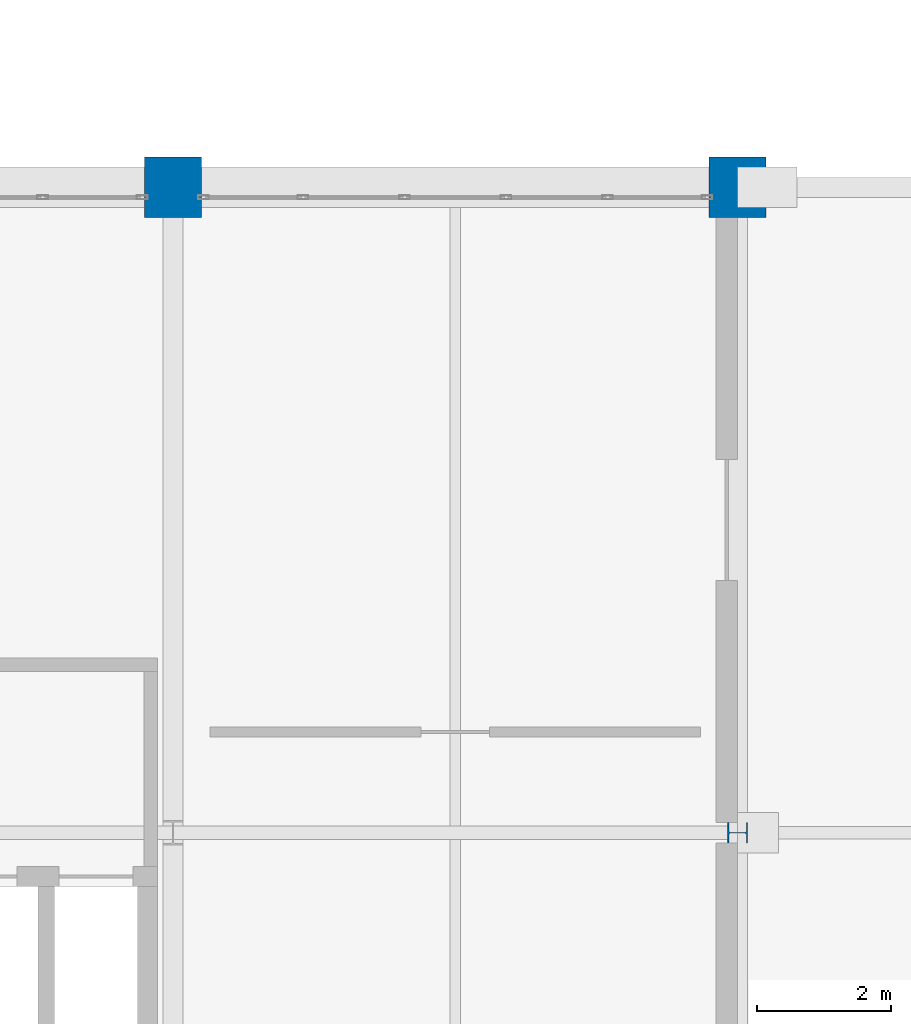
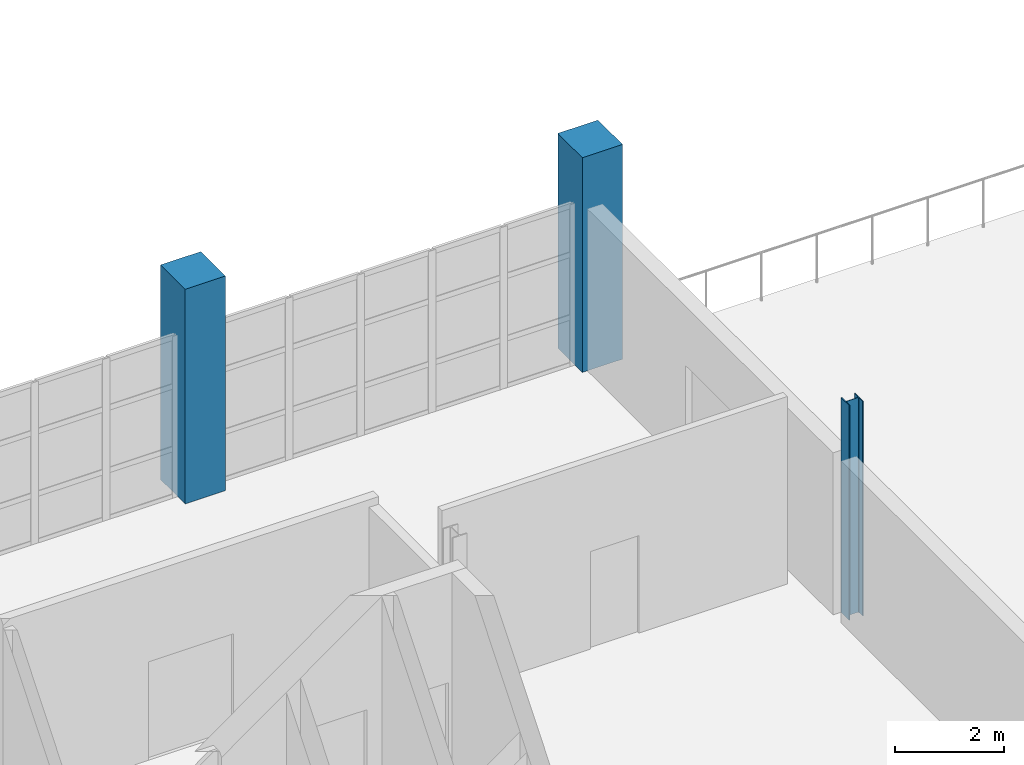
# One storey, part 3 of 29: 3 columns.
"""IFC4 building model written with IfcOpenShell, lengths in metres."""

from ifc_helpers import new_model, si_unit, direction, frame, origin, origin_2d, place, context, subcontext, project, spatial, rectangle, i_section, extrude, material, material_profile, profile_set, type_object, element, save


model = new_model("IFC4")

# Units and contexts
model_context = context("Model", 3, precision=1e-05, world=origin(), true_north=direction((0.0, 1.0)))
body_context = subcontext(model_context, "Body", "Model", "MODEL_VIEW")
ifc_project = project(units=[si_unit("LENGTHUNIT", "METRE"), si_unit("AREAUNIT", "SQUARE_METRE"), si_unit("VOLUMEUNIT", "CUBIC_METRE"), si_unit("PLANEANGLEUNIT", "RADIAN"), si_unit("MASSUNIT", "GRAM", prefix="KILO")], contexts=[model_context])

# Site, building, storey
site_placement = place(None, origin())
site = spatial("IfcSite", under=ifc_project, at=site_placement, CompositionType="ELEMENT")
building_placement = place(site_placement, origin())
building = spatial("IfcBuilding", under=site, at=building_placement, Name="Veltarok Museum of Natural Sciences", CompositionType="ELEMENT")
storey_placement = place(building_placement, frame((0.0, 0.0, 26.39990234375)))
storey = spatial("IfcBuildingStorey", under=building, at=storey_placement, Name="L05", CompositionType="ELEMENT", Elevation=26.39990234375)

# Columns
ifc_material_1 = material(Name="Concrete C40/50", Category="concrete")
ifc_material_profile_1 = material_profile(ifc_material_1, rectangle(XDim=0.85009765625, YDim=0.89990234375, at=origin_2d()), Name="RC 850x900")
ifc_profile_set_1 = profile_set([ifc_material_profile_1], Name="Concrete C40/50")
column_type_1 = type_object("IfcColumnType", Name="Exposed Cabinet Grid Column RC 850x900", PredefinedType="COLUMN", material=ifc_profile_set_1)
for number, where, z_axis, x_axis, name in (
    (1, (98.800048828125, 19.199951171875, 0.0), (0.0, 0.0, 1.0), (1.0, 0.0, 0.0), "Column COL-CAB01 L05 12/C"),
    (2, (107.199951171875, 19.199951171875, 0.0), (0.0, 0.0, 1.0), (1.0, 0.0, 0.0), "Column COL-CAB01 L05 13/C"),
):
    element("IfcColumn", number, at=place(storey_placement, frame(where, z_axis=z_axis, x_axis=x_axis)), inside=storey, type_object=column_type_1, Name=name, PredefinedType="COLUMN", context=body_context, shape_type="SweptSolid", body=[
        extrude(rectangle(XDim=0.85009765625, YDim=0.89990234375, at=origin_2d()), origin(), (0.0, 0.0, 1.0), 4.800048828125),
    ])
ifc_material_2 = material(Name="Steel S355J2", Category="steel")
ifc_material_profile_2 = material_profile(ifc_material_2, i_section(OverallWidth=0.300048828125, OverallDepth=0.300048828125, WebThickness=0.010986328125, FlangeThickness=0.01904296875, FilletRadius=0.027099609375, at=origin_2d()), Name="HEB 300")
ifc_profile_set_2 = profile_set([ifc_material_profile_2], Name="Steel S355J2")
column_type_2 = type_object("IfcColumnType", Name="Perimeter Upper Column HEB 300", PredefinedType="COLUMN", material=ifc_profile_set_2)
column_placement = place(storey_placement, frame((107.199951171875, 9.60009765625, 0.0), z_axis=(0.0, 0.0, 1.0), x_axis=(0.0, 1.0, 0.0)))
element("IfcColumn", 3, at=column_placement, inside=storey, type_object=column_type_2, Name="Column COL-EXT03 L05 13/B", PredefinedType="COLUMN", context=body_context, shape_type="SweptSolid", body=[
    extrude(i_section(OverallWidth=0.300048828125, OverallDepth=0.300048828125, WebThickness=0.010986328125, FlangeThickness=0.01904296875, FilletRadius=0.027099609375, at=origin_2d()), origin(), (0.0, 0.0, 1.0), 4.800048828125),
])

save(model, "model.ifc")
